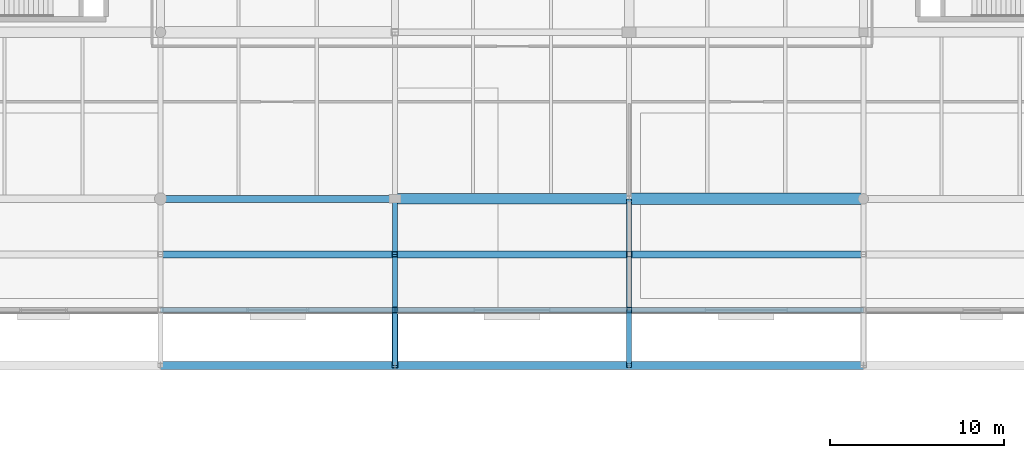
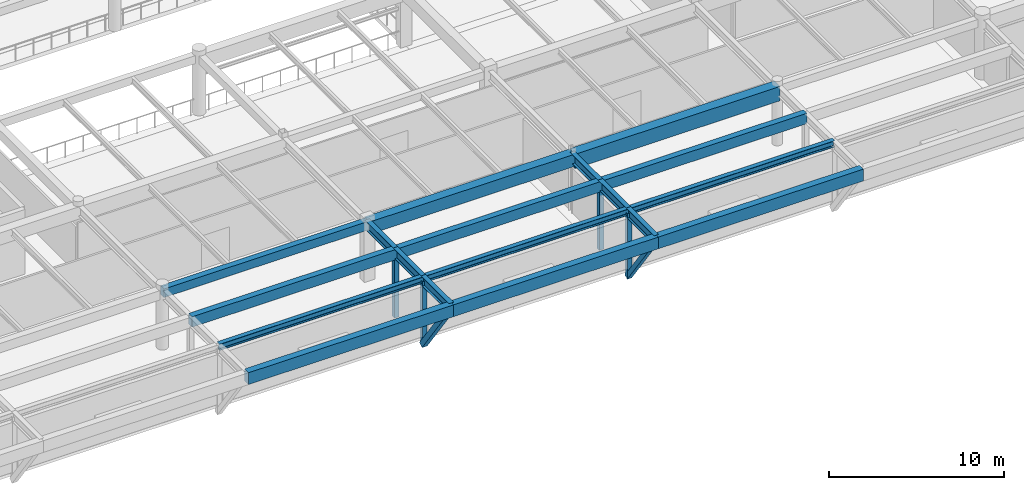
# One storey, part 22 of 80: 18 beams, 6 members.
"""IFC4 building model written with IfcOpenShell, lengths in metres."""

from ifc_helpers import new_model, si_unit, direction, frame, origin, origin_2d, place, context, subcontext, project, spatial, rectangle, hollow_rectangle, i_section, extrude, material, material_profile, profile_set, type_object, element, save


model = new_model("IFC4")

# Units and contexts
model_context = context("Model", 3, precision=1e-05, world=origin(), true_north=direction((0.0, 1.0)))
body_context = subcontext(model_context, "Body", "Model", "MODEL_VIEW")
ifc_project = project(units=[si_unit("LENGTHUNIT", "METRE"), si_unit("AREAUNIT", "SQUARE_METRE"), si_unit("VOLUMEUNIT", "CUBIC_METRE"), si_unit("PLANEANGLEUNIT", "RADIAN"), si_unit("MASSUNIT", "GRAM", prefix="KILO")], contexts=[model_context])

# Site, building, storey
site_placement = place(None, origin())
site = spatial("IfcSite", under=ifc_project, at=site_placement, CompositionType="ELEMENT")
building_placement = place(site_placement, origin())
building = spatial("IfcBuilding", under=site, at=building_placement, Name="Fikremerkos Civic Library", CompositionType="ELEMENT")
storey_placement = place(building_placement, frame((0.0, 0.0, 9.89990234375)))
storey = spatial("IfcBuildingStorey", under=building, at=storey_placement, Name="L02", CompositionType="ELEMENT", Elevation=9.89990234375)

# Members
ifc_material_1 = material(Name="Steel S355", Category="steel")
ifc_material_profile_1 = material_profile(ifc_material_1, hollow_rectangle(XDim=0.300048828125, YDim=0.300048828125, WallThickness=0.012451171875, at=origin_2d()), Name="SHS 300x300x12.5")
ifc_profile_set_1 = profile_set([ifc_material_profile_1], Name="Steel S355")
member_type_1 = type_object("IfcMemberType", Name="Frame post PST-01 SHS 300x300x12.5", PredefinedType="POST", material=ifc_profile_set_1)
for number, where, z_axis, x_axis, name in (
    (1, (73.199951171875, 8.800048828125, -0.64501953125), (0.0, 0.0, 1.0), (1.0, 0.0, 0.0), "Cantilever frame post PST-01 L02 X=73.2 Y=8.8"),
    (2, (73.199951171875, 5.60009765625, -0.64501953125), (0.0, 0.0, 1.0), (1.0, 0.0, 0.0), "Cantilever frame post PST-01 L02 X=73.2 Y=5.6"),
    (3, (86.699951171875, 8.800048828125, -0.64501953125), (0.0, 0.0, 1.0), (1.0, 0.0, 0.0), "Cantilever frame post PST-01 L02 X=86.7 Y=8.8"),
    (4, (86.699951171875, 5.60009765625, -0.64501953125), (0.0, 0.0, 1.0), (1.0, 0.0, 0.0), "Cantilever frame post PST-01 L02 X=86.7 Y=5.6"),
):
    element("IfcMember", number, at=place(storey_placement, frame(where, z_axis=z_axis, x_axis=x_axis)), inside=storey, type_object=member_type_1, Name=name, PredefinedType="POST", context=body_context, shape_type="SweptSolid", body=[
        extrude(hollow_rectangle(XDim=0.300048828125, YDim=0.300048828125, WallThickness=0.012451171875, at=origin_2d()), origin(), (0.0, 0.0, 1.0), 4.480224609375),
    ])

# Beams
ifc_material_2 = material(Name="Concrete C40/50", Category="concrete")
ifc_material_profile_2 = material_profile(ifc_material_2, rectangle(XDim=0.39990234375, YDim=0.60009765625, at=origin_2d()), Name="RC 400x600")
ifc_profile_set_2 = profile_set([ifc_material_profile_2], Name="Concrete C40/50")
beam_type_1 = type_object("IfcBeamType", Name="Primary girder BM-08 RC 400x600", PredefinedType="BEAM", material=ifc_profile_set_2)
beam_1_placement = place(storey_placement, frame((59.699951171875, 12.0, 3.860107421875), z_axis=(1.0, 0.0, 0.0), x_axis=(0.0, 1.0, 0.0)))
element("IfcBeam", 5, at=beam_1_placement, inside=storey, type_object=beam_type_1, Name="Primary girder BM-08 L02 grid E", PredefinedType="BEAM", context=body_context, shape_type="SweptSolid", body=[
    extrude(rectangle(XDim=0.39990234375, YDim=0.60009765625, at=origin_2d()), origin(), (0.0, 0.0, 1.0), 13.5),
])
ifc_material_profile_3 = material_profile(ifc_material_1, i_section(OverallWidth=0.300048828125, OverallDepth=0.64990234375, WebThickness=0.01611328125, FlangeThickness=0.031005859375, FilletRadius=0.027099609375, at=origin_2d()), Name="HEB 650")
ifc_profile_set_3 = profile_set([ifc_material_profile_3], Name="Steel S355")
beam_type_2 = type_object("IfcBeamType", Name="Primary girder BM-12 HEB 650", PredefinedType="BEAM", material=ifc_profile_set_3)
for number, where, z_axis, x_axis, name in (
    (6, (73.199951171875, 12.0, 3.835205078125), (0.0, -1.0, 0.0), (1.0, 0.0, 0.0), "Cantilever girder BM-12 L02 X=73.2 #1"),
    (7, (73.199951171875, 8.800048828125, 3.835205078125), (0.0, -1.0, 0.0), (1.0, 0.0, 0.0), "Cantilever girder BM-12 L02 X=73.2 #2"),
):
    element("IfcBeam", number, at=place(storey_placement, frame(where, z_axis=z_axis, x_axis=x_axis)), inside=storey, type_object=beam_type_2, Name=name, PredefinedType="BEAM", context=body_context, shape_type="SweptSolid", body=[
        extrude(i_section(OverallWidth=0.300048828125, OverallDepth=0.64990234375, WebThickness=0.01611328125, FlangeThickness=0.031005859375, FilletRadius=0.027099609375, at=origin_2d()), origin(), (0.0, 0.0, 1.0), 3.199951171875),
    ])
beam_2_placement = place(storey_placement, frame((73.199951171875, 5.60009765625, 3.835205078125), z_axis=(0.0, -1.0, 0.0), x_axis=(1.0, 0.0, 0.0)))
element("IfcBeam", 8, at=beam_2_placement, inside=storey, type_object=beam_type_2, Name="Cantilever girder BM-12 L02 X=73.2 #3", PredefinedType="BEAM", context=body_context, shape_type="SweptSolid", body=[
    extrude(i_section(OverallWidth=0.300048828125, OverallDepth=0.64990234375, WebThickness=0.01611328125, FlangeThickness=0.031005859375, FilletRadius=0.027099609375, at=origin_2d()), origin(), (0.0, 0.0, 1.0), 3.2001953125),
])
for number, where, z_axis, x_axis, name in (
    (9, (86.699951171875, 12.0, 3.835205078125), (0.0, -1.0, 0.0), (1.0, 0.0, 0.0), "Cantilever girder BM-12 L02 X=86.7 #1"),
    (10, (86.699951171875, 8.800048828125, 3.835205078125), (0.0, -1.0, 0.0), (1.0, 0.0, 0.0), "Cantilever girder BM-12 L02 X=86.7 #2"),
):
    element("IfcBeam", number, at=place(storey_placement, frame(where, z_axis=z_axis, x_axis=x_axis)), inside=storey, type_object=beam_type_2, Name=name, PredefinedType="BEAM", context=body_context, shape_type="SweptSolid", body=[
        extrude(i_section(OverallWidth=0.300048828125, OverallDepth=0.64990234375, WebThickness=0.01611328125, FlangeThickness=0.031005859375, FilletRadius=0.027099609375, at=origin_2d()), origin(), (0.0, 0.0, 1.0), 3.199951171875),
    ])
beam_3_placement = place(storey_placement, frame((86.699951171875, 5.60009765625, 3.835205078125), z_axis=(0.0, -1.0, 0.0), x_axis=(1.0, 0.0, 0.0)))
element("IfcBeam", 11, at=beam_3_placement, inside=storey, type_object=beam_type_2, Name="Cantilever girder BM-12 L02 X=86.7 #3", PredefinedType="BEAM", context=body_context, shape_type="SweptSolid", body=[
    extrude(i_section(OverallWidth=0.300048828125, OverallDepth=0.64990234375, WebThickness=0.01611328125, FlangeThickness=0.031005859375, FilletRadius=0.027099609375, at=origin_2d()), origin(), (0.0, 0.0, 1.0), 3.2001953125),
])
ifc_material_profile_4 = material_profile(ifc_material_2, rectangle(XDim=0.60009765625, YDim=0.85009765625, at=origin_2d()), Name="RC 600x850")
ifc_profile_set_4 = profile_set([ifc_material_profile_4], Name="Concrete C40/50")
beam_type_3 = type_object("IfcBeamType", Name="Primary girder BM-24 RC 600x850", PredefinedType="BEAM", material=ifc_profile_set_4)
beam_4_placement = place(storey_placement, frame((73.199951171875, 12.0, 3.735107421875), z_axis=(1.0, 0.0, 0.0), x_axis=(0.0, 1.0, 0.0)))
element("IfcBeam", 12, at=beam_4_placement, inside=storey, type_object=beam_type_3, Name="Primary girder BM-24 L02 grid E", PredefinedType="BEAM", context=body_context, shape_type="SweptSolid", body=[
    extrude(rectangle(XDim=0.60009765625, YDim=0.85009765625, at=origin_2d()), origin(), (0.0, 0.0, 1.0), 13.5),
])
ifc_material_3 = material(Name="Concrete C45/55", Category="concrete")
ifc_material_profile_5 = material_profile(ifc_material_3, rectangle(XDim=0.64990234375, YDim=1.0, at=origin_2d()), Name="RC 650x1000")
ifc_profile_set_5 = profile_set([ifc_material_profile_5], Name="Concrete C45/55")
beam_type_4 = type_object("IfcBeamType", Name="Primary girder BM-25 RC 650x1000", PredefinedType="BEAM", material=ifc_profile_set_5)
beam_5_placement = place(storey_placement, frame((86.699951171875, 12.0, 3.66015625), z_axis=(1.0, 0.0, 0.0), x_axis=(0.0, 1.0, 0.0)))
element("IfcBeam", 13, at=beam_5_placement, inside=storey, type_object=beam_type_4, Name="Primary girder BM-25 L02 grid E", PredefinedType="BEAM", context=body_context, shape_type="SweptSolid", body=[
    extrude(rectangle(XDim=0.64990234375, YDim=1.0, at=origin_2d()), origin(), (0.0, 0.0, 1.0), 13.5),
])

# Members
ifc_material_profile_6 = material_profile(ifc_material_1, hollow_rectangle(XDim=0.35009765625, YDim=0.35009765625, WallThickness=0.01611328125, at=origin_2d()), Name="SHS 350x350x16")
ifc_profile_set_6 = profile_set([ifc_material_profile_6], Name="Steel S355")
member_type_2 = type_object("IfcMemberType", Name="Raking strut STR-01 SHS 350x350x16", PredefinedType="STRUT", material=ifc_profile_set_6)
member_1_placement = place(storey_placement, frame((73.199951171875, 5.60009765625, -0.64501953125), z_axis=(0.0, -0.581242388279, 0.813730475076), x_axis=(1.0, 0.0, 0.0)))
element("IfcMember", 14, at=member_1_placement, inside=storey, type_object=member_type_2, Name="Raking cantilever strut STR-01 L02 X=73.2", PredefinedType="STRUT", context=body_context, shape_type="SweptSolid", body=[
    extrude(hollow_rectangle(XDim=0.35009765625, YDim=0.35009765625, WallThickness=0.01611328125, at=origin_2d()), origin(), (0.0, 0.0, 1.0), 5.505859375),
])
ifc_material_profile_7 = material_profile(ifc_material_1, hollow_rectangle(XDim=0.300048828125, YDim=0.300048828125, WallThickness=0.01611328125, at=origin_2d()), Name="SHS 300x300x16")
ifc_profile_set_7 = profile_set([ifc_material_profile_7], Name="Steel S355")
member_type_3 = type_object("IfcMemberType", Name="Raking strut STR-02 SHS 300x300x16", PredefinedType="STRUT", material=ifc_profile_set_7)
member_2_placement = place(storey_placement, frame((86.699951171875, 5.60009765625, -0.64501953125), z_axis=(0.0, -0.581242388279, 0.813730475076), x_axis=(1.0, 0.0, 0.0)))
element("IfcMember", 15, at=member_2_placement, inside=storey, type_object=member_type_3, Name="Raking cantilever strut STR-02 L02 X=86.7", PredefinedType="STRUT", context=body_context, shape_type="SweptSolid", body=[
    extrude(hollow_rectangle(XDim=0.300048828125, YDim=0.300048828125, WallThickness=0.01611328125, at=origin_2d()), origin(), (0.0, 0.0, 1.0), 5.505859375),
])

# Beams
ifc_material_profile_8 = material_profile(ifc_material_2, rectangle(XDim=0.449951171875, YDim=0.820068359375, at=origin_2d()), Name="RC 450x820")
ifc_profile_set_8 = profile_set([ifc_material_profile_8], Name="Concrete C40/50")
beam_type_5 = type_object("IfcBeamType", Name="Spandrel edge beam SPB-02 RC 450x820", PredefinedType="SPANDREL", material=ifc_profile_set_8)
for number, where, z_axis, x_axis, name in (
    (16, (59.699951171875, 2.39990234375, 3.75), (1.0, 0.0, 0.0), (0.0, 1.0, 0.0), "Spandrel edge beam SPB-02 L02 Y=2.4 bay 4"),
    (17, (73.199951171875, 2.39990234375, 3.75), (1.0, 0.0, 0.0), (0.0, 1.0, 0.0), "Spandrel edge beam SPB-02 L02 Y=2.4 bay 5"),
    (18, (86.699951171875, 2.39990234375, 3.75), (1.0, 0.0, 0.0), (0.0, 1.0, 0.0), "Spandrel edge beam SPB-02 L02 Y=2.4 bay 6"),
):
    element("IfcBeam", number, at=place(storey_placement, frame(where, z_axis=z_axis, x_axis=x_axis)), inside=storey, type_object=beam_type_5, Name=name, PredefinedType="SPANDREL", context=body_context, shape_type="SweptSolid", body=[
        extrude(rectangle(XDim=0.449951171875, YDim=0.820068359375, at=origin_2d()), origin(), (0.0, 0.0, 1.0), 13.5),
    ])
ifc_material_profile_9 = material_profile(ifc_material_2, rectangle(XDim=0.39990234375, YDim=0.719970703125, at=origin_2d()), Name="RC 400x720")
ifc_profile_set_9 = profile_set([ifc_material_profile_9], Name="Concrete C40/50")
beam_type_6 = type_object("IfcBeamType", Name="Spandrel edge beam SPB-03 RC 400x720", PredefinedType="SPANDREL", material=ifc_profile_set_9)
for number, where, z_axis, x_axis, name in (
    (19, (59.699951171875, 8.800048828125, 3.800048828125), (1.0, 0.0, 0.0), (0.0, 1.0, 0.0), "Spandrel edge beam SPB-03 L02 Y=8.8 bay 4"),
    (20, (73.199951171875, 8.800048828125, 3.800048828125), (1.0, 0.0, 0.0), (0.0, 1.0, 0.0), "Spandrel edge beam SPB-03 L02 Y=8.8 bay 5"),
    (21, (86.699951171875, 8.800048828125, 3.800048828125), (1.0, 0.0, 0.0), (0.0, 1.0, 0.0), "Spandrel edge beam SPB-03 L02 Y=8.8 bay 6"),
):
    element("IfcBeam", number, at=place(storey_placement, frame(where, z_axis=z_axis, x_axis=x_axis)), inside=storey, type_object=beam_type_6, Name=name, PredefinedType="SPANDREL", context=body_context, shape_type="SweptSolid", body=[
        extrude(rectangle(XDim=0.39990234375, YDim=0.719970703125, at=origin_2d()), origin(), (0.0, 0.0, 1.0), 13.5),
    ])
ifc_material_profile_10 = material_profile(ifc_material_1, i_section(OverallWidth=0.300048828125, OverallDepth=0.43994140625, WebThickness=0.011474609375, FlangeThickness=0.02099609375, FilletRadius=0.027099609375, at=origin_2d()), Name="HEA 450")
ifc_profile_set_10 = profile_set([ifc_material_profile_10], Name="Steel S355")
beam_type_7 = type_object("IfcBeamType", Name="Spandrel edge beam SPB-05 HEA 450", PredefinedType="SPANDREL", material=ifc_profile_set_10)
for number, where, z_axis, x_axis, name in (
    (22, (59.699951171875, 5.60009765625, 3.940185546875), (1.0, 0.0, 0.0), (0.0, 1.0, 0.0), "Spandrel edge beam SPB-05 L02 Y=5.6 bay 4"),
    (23, (73.199951171875, 5.60009765625, 3.940185546875), (1.0, 0.0, 0.0), (0.0, 1.0, 0.0), "Spandrel edge beam SPB-05 L02 Y=5.6 bay 5"),
    (24, (86.699951171875, 5.60009765625, 3.940185546875), (1.0, 0.0, 0.0), (0.0, 1.0, 0.0), "Spandrel edge beam SPB-05 L02 Y=5.6 bay 6"),
):
    element("IfcBeam", number, at=place(storey_placement, frame(where, z_axis=z_axis, x_axis=x_axis)), inside=storey, type_object=beam_type_7, Name=name, PredefinedType="SPANDREL", context=body_context, shape_type="SweptSolid", body=[
        extrude(i_section(OverallWidth=0.300048828125, OverallDepth=0.43994140625, WebThickness=0.011474609375, FlangeThickness=0.02099609375, FilletRadius=0.027099609375, at=origin_2d()), origin(), (0.0, 0.0, 1.0), 13.5),
    ])

save(model, "model.ifc")
